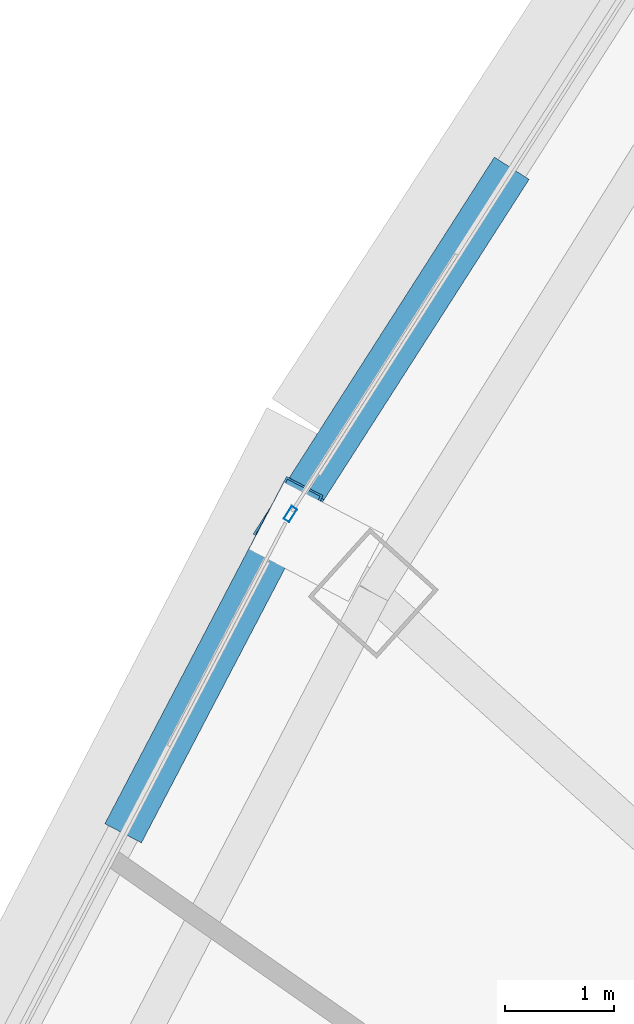
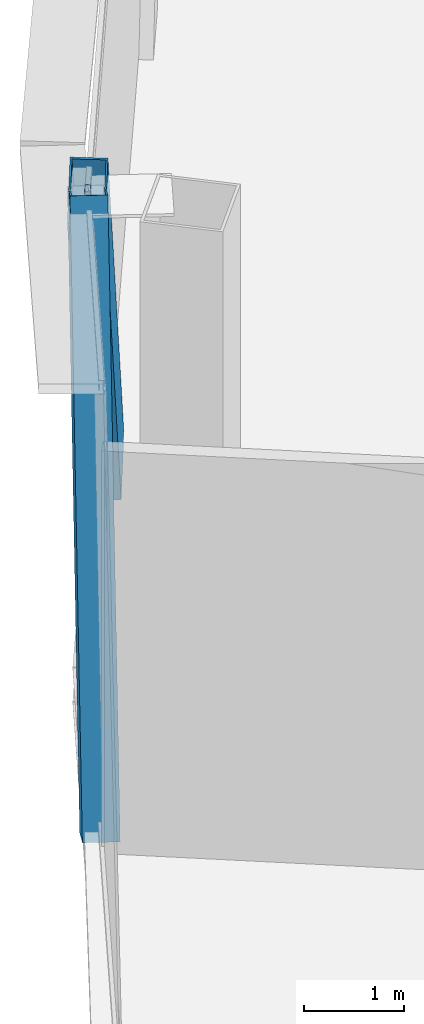
# One storey, part 17 of 38: 3 members, 1 element without a shape of its own.
"""IFC4 building model written with IfcOpenShell, lengths in metres."""

from ifc_helpers import new_model, si_unit, direction, frame, origin, origin_2d, place, context, subcontext, project, spatial, hollow_rectangle, extrude, source, transform, mapped, material, layer, layer_set, material_profile, profile_set, type_object, element, aggregate, save


model = new_model("IFC4")

# Units and contexts
model_context = context("Model", 3, precision=1e-05, world=origin(), true_north=direction((0.0, 1.0)))
body_context = subcontext(model_context, "Body", "Model", "MODEL_VIEW")
ifc_project = project(units=[si_unit("LENGTHUNIT", "METRE"), si_unit("AREAUNIT", "SQUARE_METRE"), si_unit("VOLUMEUNIT", "CUBIC_METRE"), si_unit("PLANEANGLEUNIT", "RADIAN"), si_unit("MASSUNIT", "GRAM", prefix="KILO"), si_unit("THERMODYNAMICTEMPERATUREUNIT", "KELVIN"), si_unit("POWERUNIT", "WATT")], contexts=[model_context])

# Site, building, storey
site_placement = place(None, origin())
site = spatial("IfcSite", under=ifc_project, at=site_placement, CompositionType="ELEMENT")
building_placement = place(site_placement, origin())
building = spatial("IfcBuilding", under=site, at=building_placement, Name="Yunzhuo Pagoda Commons", CompositionType="ELEMENT")
storey_placement = place(building_placement, frame((0.0, 0.0, 266.909912109375)))
storey = spatial("IfcBuildingStorey", under=building, at=storey_placement, Name="L67", CompositionType="ELEMENT", Elevation=266.909912109375)

# Members
ifc_material_1 = material(Name="Structural steel Q355B", Category="steel")
ifc_material_profile_1 = material_profile(ifc_material_1, hollow_rectangle(XDim=0.3798828125, YDim=0.719970703125, WallThickness=0.02001953125, at=origin_2d()), Name="Structural steel Q355B")
ifc_profile_set_1 = profile_set([ifc_material_profile_1], Name="Structural steel Q355B")
member_type_1 = type_object("IfcMemberType", Name="M-DL3 Brace BOX 720x380x20", PredefinedType="BRACE", material=ifc_profile_set_1)
shared_shape_1 = source(origin(), body_context, "Body", "SweptSolid", [
    extrude(hollow_rectangle(XDim=0.3798828125, YDim=0.719970703125, WallThickness=0.02001953125, at=origin_2d()), origin(), (0.0, 0.0, 1.0), 6.542724609375),
])
member_1_placement = place(storey_placement, frame((25.23193359375, 50.3310546875, -0.260009765625), z_axis=(0.210309154077, 0.402072593183, 0.891127201651), x_axis=(-0.88610340892, 0.463487592823, 0.0)))
element("IfcMember", 1, at=member_1_placement, inside=storey, type_object=member_type_1, Name="L67 facade diamond brace F3.2L", PredefinedType="BRACE", context=body_context, shape_type="MappedRepresentation", body=[
    mapped(shared_shape_1, transform((0.0, 0.0, 0.0), scale=1.0)),
])
shared_shape_2 = source(origin(), body_context, "Body", "SweptSolid", [
    extrude(hollow_rectangle(XDim=0.3798828125, YDim=0.719970703125, WallThickness=0.02001953125, at=origin_2d()), origin(), (0.0, 0.0, 1.0), 6.802978515625),
])
member_2_placement = place(storey_placement, frame((28.49755859375, 55.914306640625, -0.260009765625), z_axis=(-0.277764880691, -0.434016597814, 0.857015906432), x_axis=(0.842276459905, -0.539045791274, 0.0)))
element("IfcMember", 2, at=member_2_placement, inside=storey, type_object=member_type_1, Name="L67 facade diamond brace F3.1R", PredefinedType="BRACE", context=body_context, shape_type="MappedRepresentation", body=[
    mapped(shared_shape_2, transform((0.0, 0.0, 0.0), scale=1.0)),
])

# Curtain wall, member
ifc_material_2 = material(Name="Anodized aluminium 6063-T6", Category="aluminium")
ifc_layer = layer(ifc_material_2, 0.139892578125)
ifc_layer_set = layer_set([ifc_layer], Name="Anodized aluminium 6063-T6")
curtain_wall_type = type_object("IfcCurtainWallType", Name="CW-HI High-Zone Ribbon Curtain Wall", PredefinedType="NOTDEFINED", material=ifc_layer_set)
curtain_wall_placement = place(storey_placement, origin())
curtain_wall = element("IfcCurtainWall", 3, at=curtain_wall_placement, inside=storey, type_object=curtain_wall_type, Name="L67 curtain wall CW-L67-F3B2", PredefinedType="NOTDEFINED")
ifc_material_profile_2 = material_profile(ifc_material_2, hollow_rectangle(XDim=0.06005859375, YDim=0.139892578125, WallThickness=0.00341796875, at=origin_2d()), Name="Anodized aluminium 6063-T6")
ifc_profile_set_2 = profile_set([ifc_material_profile_2], Name="Anodized aluminium 6063-T6")
member_type_2 = type_object("IfcMemberType", Name="CW-HI-M Mullion RHS 140x60x3.5", PredefinedType="MULLION", material=ifc_profile_set_2)
shared_shape_3 = source(origin(), body_context, "Body", "SweptSolid", [
    extrude(hollow_rectangle(XDim=0.06005859375, YDim=0.139892578125, WallThickness=0.00341796875, at=origin_2d()), origin(), (0.0, 0.0, 1.0), 5.5703125),
])
member_3_placement = place(storey_placement, frame((26.6240234375, 52.9873046875, 0.0), z_axis=(0.0, 0.0, 1.0), x_axis=(0.842255727545, -0.539078184884, 0.0)))
member_3 = element("IfcMember", 4, at=member_3_placement, type_object=member_type_2, Name="CW mullion 2", PredefinedType="MULLION", context=body_context, shape_type="MappedRepresentation", body=[
    mapped(shared_shape_3, transform((0.0, 0.0, 0.0), scale=1.0)),
])
aggregate(curtain_wall, [member_3])

save(model, "model.ifc")
